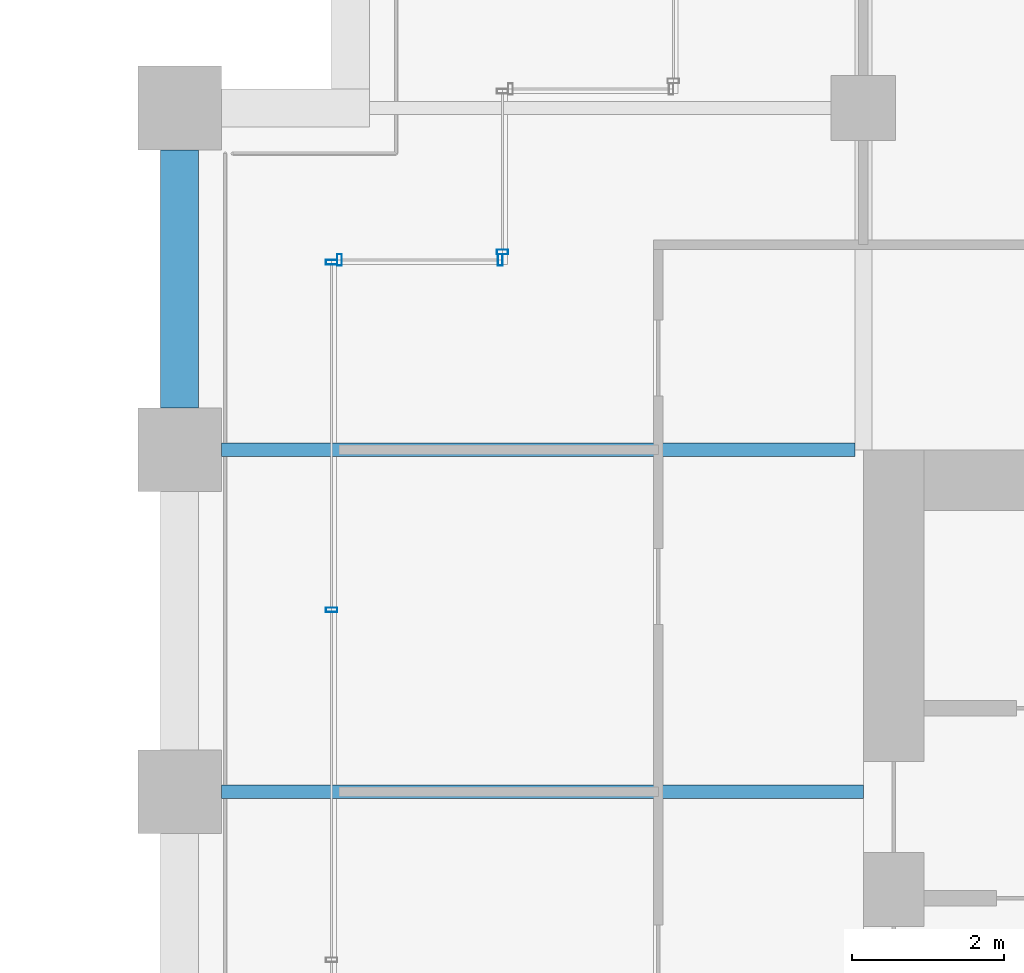
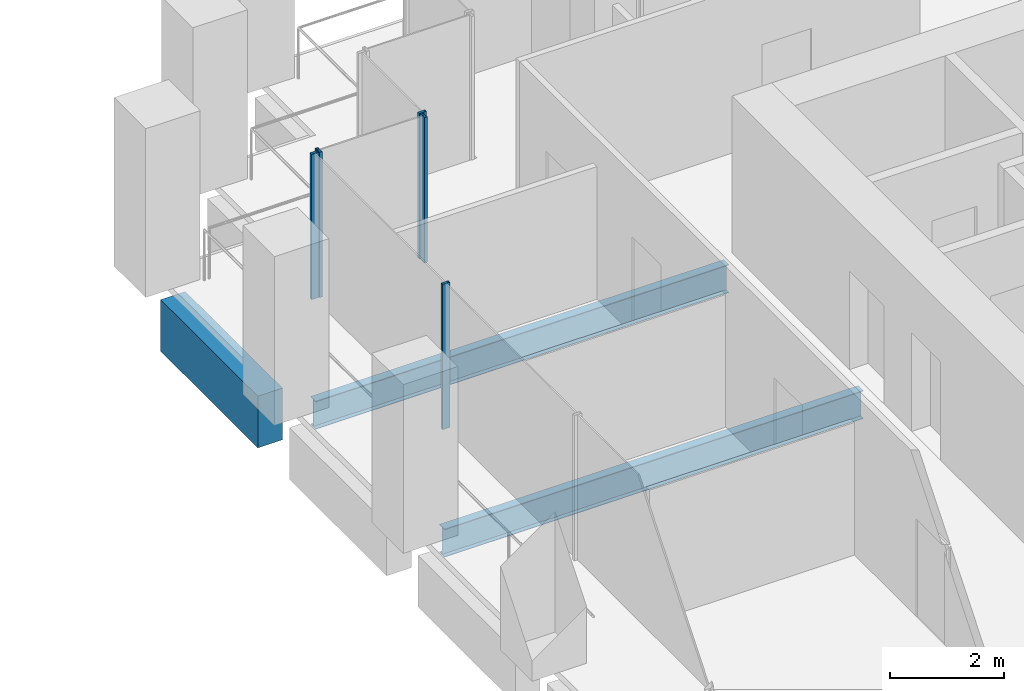
# One storey, part 40 of 56: 5 members, 3 beams, 3 elements without a shape of their own.
"""IFC4 building model written with IfcOpenShell, lengths in metres."""

from ifc_helpers import new_model, si_unit, direction, frame, origin, origin_2d, place, context, subcontext, project, spatial, rectangle, hollow_rectangle, i_section, extrude, material, material_profile, profile_set, type_object, element, aggregate, save


model = new_model("IFC4")

# Units and contexts
model_context = context("Model", 3, precision=1e-05, world=origin(), true_north=direction((0.0, 1.0)))
body_context = subcontext(model_context, "Body", "Model", "MODEL_VIEW")
ifc_project = project(units=[si_unit("LENGTHUNIT", "METRE"), si_unit("AREAUNIT", "SQUARE_METRE"), si_unit("VOLUMEUNIT", "CUBIC_METRE"), si_unit("PLANEANGLEUNIT", "RADIAN"), si_unit("MASSUNIT", "GRAM", prefix="KILO")], contexts=[model_context])

# Site, building, storey
site_placement = place(None, origin())
site = spatial("IfcSite", under=ifc_project, at=site_placement, CompositionType="ELEMENT")
building_placement = place(site_placement, origin())
building = spatial("IfcBuilding", under=site, at=building_placement, Name="Altepetl Exchange Towers", CompositionType="ELEMENT")
storey_placement = place(building_placement, frame((0.0, 0.0, 51.0)))
storey = spatial("IfcBuildingStorey", under=building, at=storey_placement, Name="L11", CompositionType="ELEMENT", Elevation=51.0)

# Beams
ifc_material_1 = material(Name="Steel S355", Category="steel")
ifc_material_profile_1 = material_profile(ifc_material_1, i_section(OverallWidth=0.177978515625, OverallDepth=0.59912109375, WebThickness=0.010009765625, FlangeThickness=0.0126953125, at=origin_2d()), Name="W24X55")
ifc_profile_set_1 = profile_set([ifc_material_profile_1], Name="Steel S355")
beam_type_1 = type_object("IfcBeamType", Name="Floor beam W24X55", PredefinedType="BEAM", material=ifc_profile_set_1)
beam_1_placement = place(storey_placement, frame((95.050048828125, 45.0, -0.449462890625), z_axis=(1.0, 0.0, 0.0), x_axis=(0.0, 1.0, 0.0)))
element("IfcBeam", 1, at=beam_1_placement, inside=storey, type_object=beam_type_1, Name="bm:B:L11:013", PredefinedType="BEAM", context=body_context, shape_type="SweptSolid", body=[
    extrude(i_section(OverallWidth=0.177978515625, OverallDepth=0.59912109375, WebThickness=0.010009765625, FlangeThickness=0.0126953125, at=origin_2d()), origin(), (0.0, 0.0, 1.0), 8.449951171875),
])
beam_2_placement = place(storey_placement, frame((95.050048828125, 49.5, -0.449462890625), z_axis=(1.0, 0.0, 0.0), x_axis=(0.0, 1.0, 0.0)))
element("IfcBeam", 2, at=beam_2_placement, inside=storey, type_object=beam_type_1, Name="bm:B:L11:014", PredefinedType="BEAM", context=body_context, shape_type="SweptSolid", body=[
    extrude(i_section(OverallWidth=0.177978515625, OverallDepth=0.59912109375, WebThickness=0.010009765625, FlangeThickness=0.0126953125, at=origin_2d()), origin(), (0.0, 0.0, 1.0), 8.3359375),
])

# Curtain wall, members
ifc_material_2 = material(Name="Aluminium 6063-T6 glazing", Category="aluminium")
curtain_wall_type = type_object("IfcCurtainWallType", Name="Loggia glazing system", PredefinedType="NOTDEFINED", material=ifc_material_2)
curtain_wall_1_placement = place(storey_placement, origin())
curtain_wall_1 = element("IfcCurtainWall", 3, at=curtain_wall_1_placement, inside=storey, type_object=curtain_wall_type, Name="CW1 run", PredefinedType="NOTDEFINED")
ifc_material_3 = material(Name="Aluminium 6063-T6", Category="aluminium")
ifc_material_profile_2 = material_profile(ifc_material_3, hollow_rectangle(XDim=0.06005859375, YDim=0.14990234375, WallThickness=0.0029296875, at=origin_2d()), Name="Mullion 60x150 aluminium")
ifc_profile_set_2 = profile_set([ifc_material_profile_2], Name="Aluminium 6063-T6")
member_type = type_object("IfcMemberType", Name="Mullion 60x150 aluminium", PredefinedType="MULLION", material=ifc_profile_set_2)
member_1_placement = place(storey_placement, frame((98.719970703125, 52.0, 0.0), z_axis=(0.0, 0.0, 1.0), x_axis=(-1.0, 0.0, 0.0)))
member_1 = element("IfcMember", 4, at=member_1_placement, type_object=member_type, Name="MU1 mullion", PredefinedType="MULLION", context=body_context, shape_type="SweptSolid", body=[
    extrude(hollow_rectangle(XDim=0.06005859375, YDim=0.14990234375, WallThickness=0.0029296875, at=origin_2d()), origin(), (0.0, 0.0, 1.0), 3.10009765625),
])
member_2_placement = place(storey_placement, frame((96.60498046875, 52.0, 0.0), z_axis=(0.0, 0.0, 1.0), x_axis=(-1.0, 0.0, 0.0)))
member_2 = element("IfcMember", 5, at=member_2_placement, type_object=member_type, Name="MU1 mullion", PredefinedType="MULLION", context=body_context, shape_type="SweptSolid", body=[
    extrude(hollow_rectangle(XDim=0.06005859375, YDim=0.14990234375, WallThickness=0.0029296875, at=origin_2d()), origin(), (0.0, 0.0, 1.0), 3.10009765625),
])
aggregate(curtain_wall_1, [member_1, member_2])

curtain_wall_2_placement = place(storey_placement, origin())
curtain_wall_2 = element("IfcCurtainWall", 6, at=curtain_wall_2_placement, inside=storey, type_object=curtain_wall_type, Name="CW1 run", PredefinedType="NOTDEFINED")
member_3_placement = place(storey_placement, frame((96.5, 51.969970703125, 0.0), z_axis=(0.0, 0.0, 1.0), x_axis=(0.0, -1.0, 0.0)))
member_3 = element("IfcMember", 7, at=member_3_placement, type_object=member_type, Name="MU1 mullion", PredefinedType="MULLION", context=body_context, shape_type="SweptSolid", body=[
    extrude(hollow_rectangle(XDim=0.06005859375, YDim=0.14990234375, WallThickness=0.0029296875, at=origin_2d()), origin(), (0.0, 0.0, 1.0), 3.10009765625),
])
member_4_placement = place(storey_placement, frame((96.5, 47.393798828125, 0.0), z_axis=(0.0, 0.0, 1.0), x_axis=(0.0, -1.0, 0.0)))
member_4 = element("IfcMember", 8, at=member_4_placement, type_object=member_type, Name="MU1 mullion", PredefinedType="MULLION", context=body_context, shape_type="SweptSolid", body=[
    extrude(hollow_rectangle(XDim=0.06005859375, YDim=0.14990234375, WallThickness=0.0029296875, at=origin_2d()), origin(), (0.0, 0.0, 1.0), 3.10009765625),
])
aggregate(curtain_wall_2, [member_3, member_4])

# Curtain wall, member
curtain_wall_3_placement = place(storey_placement, origin())
curtain_wall_3 = element("IfcCurtainWall", 9, at=curtain_wall_3_placement, inside=storey, type_object=curtain_wall_type, Name="CW1 run", PredefinedType="NOTDEFINED")
member_5_placement = place(storey_placement, frame((98.75, 52.10498046875, 0.0), z_axis=(0.0, 0.0, 1.0), x_axis=(0.0, -1.0, 0.0)))
member_5 = element("IfcMember", 10, at=member_5_placement, type_object=member_type, Name="MU1 mullion", PredefinedType="MULLION", context=body_context, shape_type="SweptSolid", body=[
    extrude(hollow_rectangle(XDim=0.06005859375, YDim=0.14990234375, WallThickness=0.0029296875, at=origin_2d()), origin(), (0.0, 0.0, 1.0), 3.10009765625),
])
aggregate(curtain_wall_3, [member_5])

# Beam
ifc_material_4 = material(Name="Concrete C50/60 precast with cantera rosa facing", Category="concrete")
ifc_material_profile_3 = material_profile(ifc_material_4, rectangle(XDim=0.5, YDim=1.10009765625, at=origin_2d()), Name="500 x 1100")
ifc_profile_set_3 = profile_set([ifc_material_profile_3], Name="Concrete C50/60 precast with cantera rosa facing")
beam_type_2 = type_object("IfcBeamType", Name="Spandrel beam 500x1100 cantera rosa", PredefinedType="SPANDREL", material=ifc_profile_set_3)
beam_3_placement = place(storey_placement, frame((94.5, 53.449951171875, -0.699951171875), z_axis=(0.0, -1.0, 0.0), x_axis=(1.0, 0.0, 0.0)))
element("IfcBeam", 11, at=beam_3_placement, inside=storey, type_object=beam_type_2, Name="sp:B:L11:027", PredefinedType="SPANDREL", context=body_context, shape_type="SweptSolid", body=[
    extrude(rectangle(XDim=0.5, YDim=1.10009765625, at=origin_2d()), origin(), (0.0, 0.0, 1.0), 3.39990234375),
])

save(model, "model.ifc")
